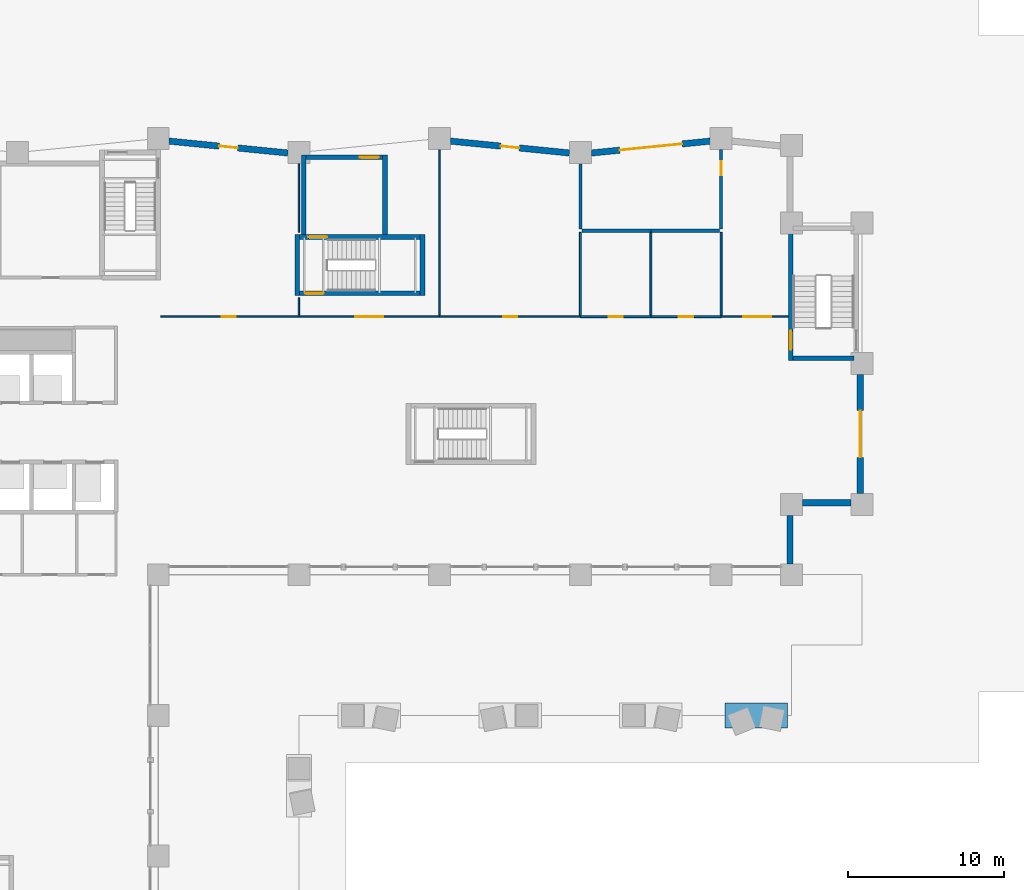
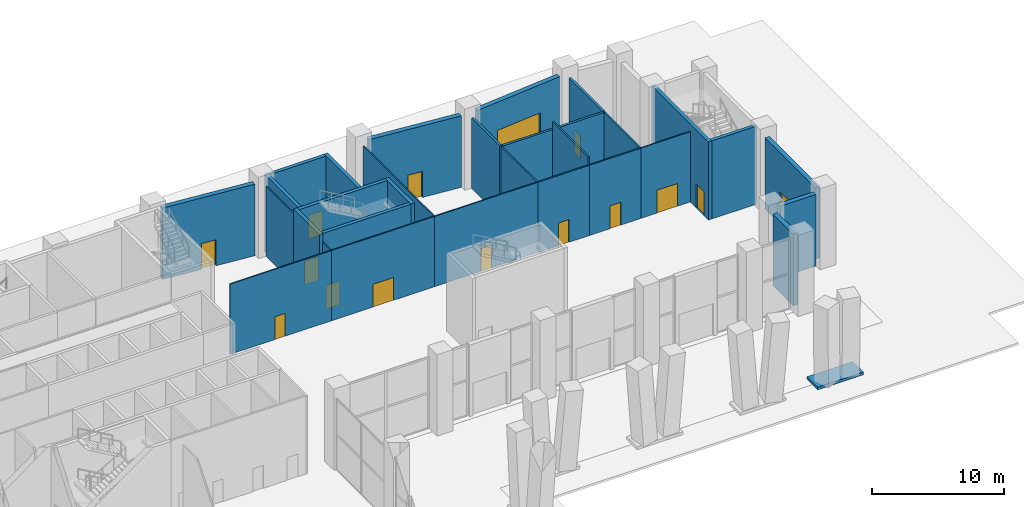
# One storey, part 10 of 16: 32 walls, 15 doors, 15 openings.
"""IFC4 building model written with IfcOpenShell, lengths in metres."""

from ifc_helpers import new_model, si_unit, direction, frame, frame_2d, origin, place, context, subcontext, project, spatial, rectangle, extrude, material, layer, layer_set, type_object, element, fill, save


model = new_model("IFC4")

# Units and contexts
model_context = context("Model", 3, precision=1e-05, world=origin(), true_north=direction((0.0, 1.0)))
body_context = subcontext(model_context, "Body", "Model", "MODEL_VIEW")
ifc_project = project(units=[si_unit("LENGTHUNIT", "METRE"), si_unit("AREAUNIT", "SQUARE_METRE"), si_unit("VOLUMEUNIT", "CUBIC_METRE"), si_unit("PLANEANGLEUNIT", "RADIAN"), si_unit("MASSUNIT", "GRAM", prefix="KILO")], contexts=[model_context])

# Site, building, storey
site_placement = place(None, origin())
site = spatial("IfcSite", under=ifc_project, at=site_placement, CompositionType="ELEMENT")
building_placement = place(site_placement, origin())
building = spatial("IfcBuilding", under=site, at=building_placement, Name="Brondeck Convention Tower", CompositionType="ELEMENT")
storey_placement = place(building_placement, origin())
storey = spatial("IfcBuildingStorey", under=building, at=storey_placement, Name="L00", CompositionType="ELEMENT", Elevation=0.0)

# Walls
ifc_material_1 = material(Name="Limestone", Category="masonry")
ifc_layer_1 = layer(ifc_material_1, 0.10009765625, Name="Limestone facing")
ifc_material_2 = material(Name="Mineral wool")
ifc_layer_2 = layer(ifc_material_2, 0.159912109375, Name="Insulation")
ifc_material_3 = material(Name="Concrete C35/45", Category="concrete")
ifc_layer_3 = layer(ifc_material_3, 0.139892578125, Name="Backing")
ifc_layer_set_1 = layer_set([ifc_layer_1, ifc_layer_2, ifc_layer_3], Name="External wall, limestone cladding")
wall_type_1 = type_object("IfcWallType", Name="External wall, limestone cladding", PredefinedType="SOLIDWALL", material=ifc_layer_set_1)
for number, where, z_axis, x_axis, name in (
    (1, (67.39990234375, 39.800048828125, 0.0), (0.0, 0.0, 1.0), (0.0, -1.0, 0.0), "ENV-EW-L00-BASE-NC-SEA-01"),
    (2, (71.300048828125, 40.60009765625, 0.0), (0.0, 0.0, 1.0), (-1.0, 0.0, 0.0), "ENV-EW-L00-BASE-NC-SEA-02"),
):
    element("IfcWall", number, at=place(storey_placement, frame(where, z_axis=z_axis, x_axis=x_axis)), inside=storey, type_object=wall_type_1, Name=name, PredefinedType="SOLIDWALL", context=body_context, shape_type="SweptSolid", body=[
        extrude(rectangle(XDim=3.10009765625, YDim=0.39990234375, at=frame_2d((1.550048828125, 0.0))), origin(), (0.0, 0.0, 1.0), 6.60009765625),
    ])

# Wall, opening, door
wall_1_placement = place(storey_placement, frame((71.89990234375, 48.800048828125, 0.0), z_axis=(0.0, 0.0, 1.0), x_axis=(0.0, -1.0, 0.0)))
wall_1 = element("IfcWall", 3, at=wall_1_placement, inside=storey, type_object=wall_type_1, Name="ENV-EW-L00-BASE-A-E-02", PredefinedType="SOLIDWALL", context=body_context, shape_type="SweptSolid", body=[
    extrude(rectangle(XDim=7.60009765625, YDim=0.39990234375, at=frame_2d((3.800048828125, 0.0))), origin(), (0.0, 0.0, 1.0), 6.60009765625),
])
opening_1_placement = place(wall_1_placement, frame((2.300048828125, 0.0, 0.0)))
opening_1 = element("IfcOpeningElement", 4, at=opening_1_placement, cuts=wall_1, Name="Opening DB-L00-ENT-E1", PredefinedType="OPENING", context=body_context, shape_type="SweptSolid", body=[
    extrude(rectangle(XDim=3.0, YDim=3.0, at=frame_2d((1.5, 1.5))), frame((0.0, 0.2099609375, 0.0), z_axis=(0.0, -1.0, 0.0), x_axis=(1.0, 0.0, 0.0)), (0.0, 0.0, 1.0), 0.419921875),
])
ifc_material_4 = material(Name="Aluminium, bronze anodised", Category="aluminium")
door_type_1 = type_object("IfcDoorType", Name="Entrance door set, double leaf", OperationType="DOUBLE_DOOR_SINGLE_SWING", PredefinedType="DOOR", material=ifc_material_4)
door_1_placement = place(opening_1_placement, origin())
door_1 = element("IfcDoor", 5, at=door_1_placement, inside=storey, type_object=door_type_1, Name="ENV-D-DB-L00-ENT-E1", OperationType="DOUBLE_DOOR_SINGLE_SWING", OverallHeight=3.0, OverallWidth=3.0, PredefinedType="DOOR", context=body_context, shape_type="SweptSolid", body=[
    extrude(rectangle(XDim=3.0, YDim=3.0, at=frame_2d((1.5, 1.5))), frame((0.0, 0.02490234375, 0.0), z_axis=(0.0, -1.0, 0.0), x_axis=(1.0, 0.0, 0.0)), (0.0, 0.0, 1.0), 0.050048828125),
])
fill(opening_1, door_1)

wall_2_placement = place(storey_placement, frame((54.70654296875, 62.97021484375, 0.0), z_axis=(0.0, 0.0, 1.0), x_axis=(0.995039719416, 0.099478423711, 0.0)))
wall_2 = element("IfcWall", 6, at=wall_2_placement, inside=storey, type_object=wall_type_1, Name="ENV-EW-L00-BASE-A-N-13", PredefinedType="SOLIDWALL", context=body_context, shape_type="SweptSolid", body=[
    extrude(rectangle(XDim=7.644775390625, YDim=0.39990234375, at=frame_2d((3.822265625, 0.0))), origin(), (0.0, 0.0, 1.0), 6.60009765625),
])
opening_2_placement = place(wall_2_placement, frame((1.822509765625, 0.0, 0.0)))
opening_2 = element("IfcOpeningElement", 7, at=opening_2_placement, cuts=wall_2, Name="Opening DB-L00-XD-DOCK", PredefinedType="OPENING", context=body_context, shape_type="SweptSolid", body=[
    extrude(rectangle(XDim=4.0, YDim=4.0, at=frame_2d((2.0, 2.0))), frame((0.0, 0.2099609375, 0.0), z_axis=(0.0, -1.0, 0.0), x_axis=(1.0, 0.0, 0.0)), (0.0, 0.0, 1.0), 0.419921875),
])
ifc_material_5 = material(Name="Steel, insulated roller shutter", Category="steel")
door_type_2 = type_object("IfcDoorType", Name="Loading dock door, roller shutter", OperationType="ROLLINGUP", PredefinedType="DOOR", material=ifc_material_5)
door_2_placement = place(opening_2_placement, origin())
door_2 = element("IfcDoor", 8, at=door_2_placement, inside=storey, type_object=door_type_2, Name="ENV-D-DB-L00-XD-DOCK", OperationType="ROLLINGUP", OverallHeight=4.0, OverallWidth=4.0, PredefinedType="DOOR", context=body_context, shape_type="SweptSolid", body=[
    extrude(rectangle(XDim=4.0, YDim=4.0, at=frame_2d((2.0, 2.0))), frame((0.0, 0.02490234375, 0.0), z_axis=(0.0, -1.0, 0.0), x_axis=(1.0, 0.0, 0.0)), (0.0, 0.0, 1.0), 0.050048828125),
])
fill(opening_2, door_2)

wall_3_placement = place(storey_placement, frame((45.6865234375, 63.730712890625, 0.0), z_axis=(0.0, 0.0, 1.0), x_axis=(0.995039719416, -0.099478423711, 0.0)))
wall_3 = element("IfcWall", 9, at=wall_3_placement, inside=storey, type_object=wall_type_1, Name="ENV-EW-L00-BASE-A-N-11", PredefinedType="SOLIDWALL", context=body_context, shape_type="SweptSolid", body=[
    extrude(rectangle(XDim=7.644775390625, YDim=0.39990234375, at=frame_2d((3.822265625, 0.0))), origin(), (0.0, 0.0, 1.0), 6.60009765625),
])
opening_3_placement = place(wall_3_placement, frame((3.222412109375, 0.0, 0.0)))
opening_3 = element("IfcOpeningElement", 10, at=opening_3_placement, cuts=wall_3, Name="Opening DB-L00-SVC-A-N-2", PredefinedType="OPENING", context=body_context, shape_type="SweptSolid", body=[
    extrude(rectangle(XDim=1.199951171875, YDim=2.39990234375, at=frame_2d((0.60009765625, 1.199951171875))), frame((0.0, 0.2099609375, 0.0), z_axis=(0.0, -1.0, 0.0), x_axis=(1.0, 0.0, 0.0)), (0.0, 0.0, 1.0), 0.419921875),
])
ifc_material_6 = material(Name="Steel, fire-rated door leaf", Category="steel")
door_type_3 = type_object("IfcDoorType", Name="Service door, single leaf", OperationType="SINGLE_SWING_LEFT", PredefinedType="DOOR", material=ifc_material_6)
door_3_placement = place(opening_3_placement, origin())
door_3 = element("IfcDoor", 11, at=door_3_placement, inside=storey, type_object=door_type_3, Name="ENV-D-DB-L00-SVC-A-N-2", OperationType="SINGLE_SWING_RIGHT", OverallHeight=2.39990234375, OverallWidth=1.199951171875, PredefinedType="DOOR", context=body_context, shape_type="SweptSolid", body=[
    extrude(rectangle(XDim=1.199951171875, YDim=2.39990234375, at=frame_2d((0.60009765625, 1.199951171875))), frame((0.0, 0.02490234375, 0.0), z_axis=(0.0, -1.0, 0.0), x_axis=(1.0, 0.0, 0.0)), (0.0, 0.0, 1.0), 0.050048828125),
])
fill(opening_3, door_3)

wall_4_placement = place(storey_placement, frame((27.6865234375, 63.730712890625, 0.0), z_axis=(0.0, 0.0, 1.0), x_axis=(0.995039719416, -0.099478423711, 0.0)))
wall_4 = element("IfcWall", 12, at=wall_4_placement, inside=storey, type_object=wall_type_1, Name="ENV-EW-L00-BASE-A-N-07", PredefinedType="SOLIDWALL", context=body_context, shape_type="SweptSolid", body=[
    extrude(rectangle(XDim=7.644775390625, YDim=0.39990234375, at=frame_2d((3.822265625, 0.0))), origin(), (0.0, 0.0, 1.0), 6.60009765625),
])
opening_4_placement = place(wall_4_placement, frame((3.222412109375, 0.0, 0.0)))
opening_4 = element("IfcOpeningElement", 13, at=opening_4_placement, cuts=wall_4, Name="Opening DB-L00-SVC-A-N-1", PredefinedType="OPENING", context=body_context, shape_type="SweptSolid", body=[
    extrude(rectangle(XDim=1.199951171875, YDim=2.39990234375, at=frame_2d((0.60009765625, 1.199951171875))), frame((0.0, 0.2099609375, 0.0), z_axis=(0.0, -1.0, 0.0), x_axis=(1.0, 0.0, 0.0)), (0.0, 0.0, 1.0), 0.419921875),
])
door_4_placement = place(opening_4_placement, origin())
door_4 = element("IfcDoor", 14, at=door_4_placement, inside=storey, type_object=door_type_3, Name="ENV-D-DB-L00-SVC-A-N-1", OperationType="SINGLE_SWING_RIGHT", OverallHeight=2.39990234375, OverallWidth=1.199951171875, PredefinedType="DOOR", context=body_context, shape_type="SweptSolid", body=[
    extrude(rectangle(XDim=1.199951171875, YDim=2.39990234375, at=frame_2d((0.60009765625, 1.199951171875))), frame((0.0, 0.02490234375, 0.0), z_axis=(0.0, -1.0, 0.0), x_axis=(1.0, 0.0, 0.0)), (0.0, 0.0, 1.0), 0.050048828125),
])
fill(opening_4, door_4)

# Walls
ifc_material_7 = material(Name="Concrete block wall C16/20", Category="concrete")
ifc_layer_4 = layer(ifc_material_7, 0.199951171875)
ifc_layer_set_2 = layer_set([ifc_layer_4], Name="Plant room wall 200")
wall_type_2 = type_object("IfcWallType", Name="Plant room wall 200", PredefinedType="PARTITIONING", material=ifc_layer_set_2)
for number, where, z_axis, x_axis, name in (
    (15, (54.10009765625, 58.0, 0.0), (0.0, 0.0, 1.0), (1.0, 0.0, 0.0), "FLR-L00-W019"),
    (16, (58.5, 58.0, 0.0), (0.0, 0.0, 1.0), (1.0, 0.0, 0.0), "FLR-L00-W020"),
):
    element("IfcWall", number, at=place(storey_placement, frame(where, z_axis=z_axis, x_axis=x_axis)), inside=storey, type_object=wall_type_2, Name=name, PredefinedType="PARTITIONING", context=body_context, shape_type="SweptSolid", body=[
        extrude(rectangle(XDim=4.39990234375, YDim=0.199951171875, at=frame_2d((2.199951171875, 0.0))), origin(), (0.0, 0.0, 1.0), 6.47998046875),
    ])
wall_5_placement = place(storey_placement, frame((54.0, 62.280029296875, 0.0), z_axis=(0.0, 0.0, 1.0), x_axis=(0.0, -1.0, 0.0)))
element("IfcWall", 17, at=wall_5_placement, inside=storey, type_object=wall_type_2, Name="FLR-L00-W022", PredefinedType="PARTITIONING", context=body_context, shape_type="SweptSolid", body=[
    extrude(rectangle(XDim=4.179931640625, YDim=0.199951171875, at=frame_2d((2.08984375, 0.0))), origin(), (0.0, 0.0, 1.0), 6.47998046875),
])

# Wall, opening, door
wall_6_placement = place(storey_placement, frame((63.0, 58.10009765625, 0.0), z_axis=(0.0, 0.0, 1.0), x_axis=(0.0, 1.0, 0.0)))
wall_6 = element("IfcWall", 18, at=wall_6_placement, inside=storey, type_object=wall_type_2, Name="FLR-L00-W024", PredefinedType="PARTITIONING", context=body_context, shape_type="SweptSolid", body=[
    extrude(rectangle(XDim=5.079833984375, YDim=0.199951171875, at=frame_2d((2.5400390625, 0.0))), origin(), (0.0, 0.0, 1.0), 6.47998046875),
])
opening_5_placement = place(wall_6_placement, frame((3.449951171875, 0.0, 0.0)))
opening_5 = element("IfcOpeningElement", 19, at=opening_5_placement, cuts=wall_6, Name="Opening P-L00-007", PredefinedType="OPENING", context=body_context, shape_type="SweptSolid", body=[
    extrude(rectangle(XDim=0.89990234375, YDim=2.10009765625, at=frame_2d((0.449951171875, 1.050048828125))), frame((0.0, 0.10986328125, 0.0), z_axis=(0.0, -1.0, 0.0), x_axis=(1.0, 0.0, 0.0)), (0.0, 0.0, 1.0), 0.219970703125),
])
ifc_material_8 = material(Name="Solid timber door leaf", Category="wood")
door_type_4 = type_object("IfcDoorType", Name="Single door 900", OperationType="NOTDEFINED", PredefinedType="DOOR", material=ifc_material_8)
door_5_placement = place(opening_5_placement, origin())
door_5 = element("IfcDoor", 20, at=door_5_placement, inside=storey, type_object=door_type_4, Name="Door P-L00-007", OperationType="SINGLE_SWING_LEFT", OverallHeight=2.10009765625, OverallWidth=0.89990234375, PredefinedType="DOOR", context=body_context, shape_type="SweptSolid", body=[
    extrude(rectangle(XDim=0.89990234375, YDim=2.10009765625, at=frame_2d((0.449951171875, 1.050048828125))), frame((0.0, 0.02490234375, 0.0), z_axis=(0.0, -1.0, 0.0), x_axis=(1.0, 0.0, 0.0)), (0.0, 0.0, 1.0), 0.050048828125),
])
fill(opening_5, door_5)

ifc_material_9 = material(Name="Gypsum board shaft wall on steel studs", Category="steel")
ifc_layer_5 = layer(ifc_material_9, 0.125)
ifc_layer_set_3 = layer_set([ifc_layer_5], Name="Riser wall 125")
wall_type_3 = type_object("IfcWallType", Name="Riser wall 125", PredefinedType="PARTITIONING", material=ifc_layer_set_3)
wall_7_placement = place(storey_placement, frame((54.0, 52.5, 0.0), z_axis=(0.0, 0.0, 1.0), x_axis=(1.0, 0.0, 0.0)))
wall_7 = element("IfcWall", 21, at=wall_7_placement, inside=storey, type_object=wall_type_3, Name="FLR-L00-W012", PredefinedType="PARTITIONING", context=body_context, shape_type="SweptSolid", body=[
    extrude(rectangle(XDim=4.5, YDim=0.125, at=frame_2d((2.25, 0.0))), origin(), (0.0, 0.0, 1.0), 6.47998046875),
])
opening_6_placement = place(wall_7_placement, frame((1.800048828125, 0.0, 0.0)))
opening_6 = element("IfcOpeningElement", 22, at=opening_6_placement, cuts=wall_7, Name="Opening P-L00-003", PredefinedType="OPENING", context=body_context, shape_type="SweptSolid", body=[
    extrude(rectangle(XDim=0.89990234375, YDim=2.10009765625, at=frame_2d((0.449951171875, 1.050048828125))), frame((0.0, 0.072509765625, 0.0), z_axis=(0.0, -1.0, 0.0), x_axis=(1.0, 0.0, 0.0)), (0.0, 0.0, 1.0), 0.14501953125),
])
door_6_placement = place(opening_6_placement, origin())
door_6 = element("IfcDoor", 23, at=door_6_placement, inside=storey, type_object=door_type_4, Name="Door P-L00-003", OperationType="SINGLE_SWING_LEFT", OverallHeight=2.10009765625, OverallWidth=0.89990234375, PredefinedType="DOOR", context=body_context, shape_type="SweptSolid", body=[
    extrude(rectangle(XDim=0.89990234375, YDim=2.10009765625, at=frame_2d((0.449951171875, 1.050048828125))), frame((0.0, 0.02490234375, 0.0), z_axis=(0.0, -1.0, 0.0), x_axis=(1.0, 0.0, 0.0)), (0.0, 0.0, 1.0), 0.050048828125),
])
fill(opening_6, door_6)

wall_8_placement = place(storey_placement, frame((58.5, 52.5, 0.0), z_axis=(0.0, 0.0, 1.0), x_axis=(1.0, 0.0, 0.0)))
wall_8 = element("IfcWall", 24, at=wall_8_placement, inside=storey, type_object=wall_type_3, Name="FLR-L00-W013", PredefinedType="PARTITIONING", context=body_context, shape_type="SweptSolid", body=[
    extrude(rectangle(XDim=4.5, YDim=0.125, at=frame_2d((2.25, 0.0))), origin(), (0.0, 0.0, 1.0), 6.47998046875),
])
opening_7_placement = place(wall_8_placement, frame((1.77490234375, 0.0, 0.0)))
opening_7 = element("IfcOpeningElement", 25, at=opening_7_placement, cuts=wall_8, Name="Opening P-L00-004", PredefinedType="OPENING", context=body_context, shape_type="SweptSolid", body=[
    extrude(rectangle(XDim=0.949951171875, YDim=2.10009765625, at=frame_2d((0.47509765625, 1.050048828125))), frame((0.0, 0.072509765625, 0.0), z_axis=(0.0, -1.0, 0.0), x_axis=(1.0, 0.0, 0.0)), (0.0, 0.0, 1.0), 0.14501953125),
])
door_type_5 = type_object("IfcDoorType", Name="Accessible door 950", OperationType="NOTDEFINED", PredefinedType="DOOR", material=ifc_material_8)
door_7_placement = place(opening_7_placement, origin())
door_7 = element("IfcDoor", 26, at=door_7_placement, inside=storey, type_object=door_type_5, Name="Door P-L00-004", OperationType="SINGLE_SWING_LEFT", OverallHeight=2.10009765625, OverallWidth=0.949951171875, PredefinedType="DOOR", context=body_context, shape_type="SweptSolid", body=[
    extrude(rectangle(XDim=0.949951171875, YDim=2.10009765625, at=frame_2d((0.47509765625, 1.050048828125))), frame((0.0, 0.02490234375, 0.0), z_axis=(0.0, -1.0, 0.0), x_axis=(1.0, 0.0, 0.0)), (0.0, 0.0, 1.0), 0.050048828125),
])
fill(opening_7, door_7)

# Walls
wall_9_placement = place(storey_placement, frame((54.0, 57.89990234375, 0.0), z_axis=(0.0, 0.0, 1.0), x_axis=(0.0, -1.0, 0.0)))
element("IfcWall", 27, at=wall_9_placement, inside=storey, type_object=wall_type_3, Name="FLR-L00-W016", PredefinedType="PARTITIONING", context=body_context, shape_type="SweptSolid", body=[
    extrude(rectangle(XDim=5.33740234375, YDim=0.125, at=frame_2d((2.668701171875, 0.0))), origin(), (0.0, 0.0, 1.0), 6.47998046875),
])
wall_10_placement = place(storey_placement, frame((58.5, 57.89990234375, 0.0), z_axis=(0.0, 0.0, 1.0), x_axis=(0.0, -1.0, 0.0)))
element("IfcWall", 28, at=wall_10_placement, inside=storey, type_object=wall_type_3, Name="FLR-L00-W017", PredefinedType="PARTITIONING", context=body_context, shape_type="SweptSolid", body=[
    extrude(rectangle(XDim=5.33740234375, YDim=0.125, at=frame_2d((2.668701171875, 0.0))), origin(), (0.0, 0.0, 1.0), 7.179931640625),
])
wall_11_placement = place(storey_placement, frame((63.0, 57.89990234375, 0.0), z_axis=(0.0, 0.0, 1.0), x_axis=(0.0, -1.0, 0.0)))
element("IfcWall", 29, at=wall_11_placement, inside=storey, type_object=wall_type_3, Name="FLR-L00-W018", PredefinedType="PARTITIONING", context=body_context, shape_type="SweptSolid", body=[
    extrude(rectangle(XDim=5.33740234375, YDim=0.125, at=frame_2d((2.668701171875, 0.0))), origin(), (0.0, 0.0, 1.0), 6.47998046875),
])

# Wall, opening, door
ifc_material_10 = material(Name="Gypsum board partition on steel studs", Category="steel")
ifc_layer_6 = layer(ifc_material_10, 0.10009765625)
ifc_layer_set_4 = layer_set([ifc_layer_6], Name="Room partition 100")
wall_type_4 = type_object("IfcWallType", Name="Room partition 100", PredefinedType="PARTITIONING", material=ifc_layer_set_4)
wall_12_placement = place(storey_placement, frame((27.14990234375, 52.5, 0.0), z_axis=(0.0, 0.0, 1.0), x_axis=(1.0, 0.0, 0.0)))
wall_12 = element("IfcWall", 30, at=wall_12_placement, inside=storey, type_object=wall_type_4, Name="FLR-L00-W009", PredefinedType="PARTITIONING", context=body_context, shape_type="SweptSolid", body=[
    extrude(rectangle(XDim=8.85009765625, YDim=0.10009765625, at=frame_2d((4.425048828125, 0.0))), origin(), (0.0, 0.0, 1.0), 6.47998046875),
])
opening_8_placement = place(wall_12_placement, frame((3.89990234375, 0.0, 0.0)))
opening_8 = element("IfcOpeningElement", 31, at=opening_8_placement, cuts=wall_12, Name="Opening P-L00-001", PredefinedType="OPENING", context=body_context, shape_type="SweptSolid", body=[
    extrude(rectangle(XDim=0.89990234375, YDim=2.10009765625, at=frame_2d((0.449951171875, 1.050048828125))), frame((0.0, 0.06005859375, 0.0), z_axis=(0.0, -1.0, 0.0), x_axis=(1.0, 0.0, 0.0)), (0.0, 0.0, 1.0), 0.1201171875),
])
door_8_placement = place(opening_8_placement, origin())
door_8 = element("IfcDoor", 32, at=door_8_placement, inside=storey, type_object=door_type_4, Name="Door P-L00-001", OperationType="SINGLE_SWING_RIGHT", OverallHeight=2.10009765625, OverallWidth=0.89990234375, PredefinedType="DOOR", context=body_context, shape_type="SweptSolid", body=[
    extrude(rectangle(XDim=0.89990234375, YDim=2.10009765625, at=frame_2d((0.449951171875, 1.050048828125))), frame((0.0, 0.02490234375, 0.0), z_axis=(0.0, -1.0, 0.0), x_axis=(1.0, 0.0, 0.0)), (0.0, 0.0, 1.0), 0.050048828125),
])
fill(opening_8, door_8)

wall_13_placement = place(storey_placement, frame((36.0, 52.5, 0.0), z_axis=(0.0, 0.0, 1.0), x_axis=(1.0, 0.0, 0.0)))
wall_13 = element("IfcWall", 33, at=wall_13_placement, inside=storey, type_object=wall_type_4, Name="FLR-L00-W010", PredefinedType="PARTITIONING", context=body_context, shape_type="SweptSolid", body=[
    extrude(rectangle(XDim=9.0, YDim=0.10009765625, at=frame_2d((4.5, 0.0))), origin(), (0.0, 0.0, 1.0), 6.47998046875),
])
opening_9_placement = place(wall_13_placement, frame((3.60009765625, 0.0, 0.0)))
opening_9 = element("IfcOpeningElement", 34, at=opening_9_placement, cuts=wall_13, Name="Opening P-L00-005", PredefinedType="OPENING", context=body_context, shape_type="SweptSolid", body=[
    extrude(rectangle(XDim=1.800048828125, YDim=2.10009765625, at=frame_2d((0.89990234375, 1.050048828125))), frame((0.0, 0.06005859375, 0.0), z_axis=(0.0, -1.0, 0.0), x_axis=(1.0, 0.0, 0.0)), (0.0, 0.0, 1.0), 0.1201171875),
])
ifc_material_11 = material(Name="Glazed timber double door", Category="wood")
door_type_6 = type_object("IfcDoorType", Name="Double door 1800", OperationType="DOUBLE_DOOR_SINGLE_SWING", PredefinedType="DOOR", material=ifc_material_11)
door_9_placement = place(opening_9_placement, origin())
door_9 = element("IfcDoor", 35, at=door_9_placement, inside=storey, type_object=door_type_6, Name="Door P-L00-005", OperationType="DOUBLE_DOOR_SINGLE_SWING", OverallHeight=2.10009765625, OverallWidth=1.800048828125, PredefinedType="DOOR", context=body_context, shape_type="SweptSolid", body=[
    extrude(rectangle(XDim=1.800048828125, YDim=2.10009765625, at=frame_2d((0.89990234375, 1.050048828125))), frame((0.0, 0.02490234375, 0.0), z_axis=(0.0, -1.0, 0.0), x_axis=(1.0, 0.0, 0.0)), (0.0, 0.0, 1.0), 0.050048828125),
])
fill(opening_9, door_9)

wall_14_placement = place(storey_placement, frame((45.0, 52.5, 0.0), z_axis=(0.0, 0.0, 1.0), x_axis=(1.0, 0.0, 0.0)))
wall_14 = element("IfcWall", 36, at=wall_14_placement, inside=storey, type_object=wall_type_4, Name="FLR-L00-W011", PredefinedType="PARTITIONING", context=body_context, shape_type="SweptSolid", body=[
    extrude(rectangle(XDim=9.0, YDim=0.10009765625, at=frame_2d((4.5, 0.0))), origin(), (0.0, 0.0, 1.0), 6.47998046875),
])
opening_10_placement = place(wall_14_placement, frame((4.050048828125, 0.0, 0.0)))
opening_10 = element("IfcOpeningElement", 37, at=opening_10_placement, cuts=wall_14, Name="Opening P-L00-002", PredefinedType="OPENING", context=body_context, shape_type="SweptSolid", body=[
    extrude(rectangle(XDim=0.89990234375, YDim=2.10009765625, at=frame_2d((0.449951171875, 1.050048828125))), frame((0.0, 0.06005859375, 0.0), z_axis=(0.0, -1.0, 0.0), x_axis=(1.0, 0.0, 0.0)), (0.0, 0.0, 1.0), 0.1201171875),
])
door_10_placement = place(opening_10_placement, origin())
door_10 = element("IfcDoor", 38, at=door_10_placement, inside=storey, type_object=door_type_4, Name="Door P-L00-002", OperationType="SINGLE_SWING_RIGHT", OverallHeight=2.10009765625, OverallWidth=0.89990234375, PredefinedType="DOOR", context=body_context, shape_type="SweptSolid", body=[
    extrude(rectangle(XDim=0.89990234375, YDim=2.10009765625, at=frame_2d((0.449951171875, 1.050048828125))), frame((0.0, 0.02490234375, 0.0), z_axis=(0.0, -1.0, 0.0), x_axis=(1.0, 0.0, 0.0)), (0.0, 0.0, 1.0), 0.050048828125),
])
fill(opening_10, door_10)

wall_15_placement = place(storey_placement, frame((63.0, 52.5, 0.0), z_axis=(0.0, 0.0, 1.0), x_axis=(1.0, 0.0, 0.0)))
wall_15 = element("IfcWall", 39, at=wall_15_placement, inside=storey, type_object=wall_type_4, Name="FLR-L00-W014", PredefinedType="PARTITIONING", context=body_context, shape_type="SweptSolid", body=[
    extrude(rectangle(XDim=4.300048828125, YDim=0.10009765625, at=frame_2d((2.14990234375, 0.0))), origin(), (0.0, 0.0, 1.0), 6.47998046875),
])
opening_11_placement = place(wall_15_placement, frame((1.39990234375, 0.0, 0.0)))
opening_11 = element("IfcOpeningElement", 40, at=opening_11_placement, cuts=wall_15, Name="Opening P-L00-006", PredefinedType="OPENING", context=body_context, shape_type="SweptSolid", body=[
    extrude(rectangle(XDim=1.800048828125, YDim=2.10009765625, at=frame_2d((0.89990234375, 1.050048828125))), frame((0.0, 0.06005859375, 0.0), z_axis=(0.0, -1.0, 0.0), x_axis=(1.0, 0.0, 0.0)), (0.0, 0.0, 1.0), 0.1201171875),
])
door_11_placement = place(opening_11_placement, origin())
door_11 = element("IfcDoor", 41, at=door_11_placement, inside=storey, type_object=door_type_6, Name="Door P-L00-006", OperationType="DOUBLE_DOOR_SINGLE_SWING", OverallHeight=2.10009765625, OverallWidth=1.800048828125, PredefinedType="DOOR", context=body_context, shape_type="SweptSolid", body=[
    extrude(rectangle(XDim=1.800048828125, YDim=2.10009765625, at=frame_2d((0.89990234375, 1.050048828125))), frame((0.0, 0.02490234375, 0.0), z_axis=(0.0, -1.0, 0.0), x_axis=(1.0, 0.0, 0.0)), (0.0, 0.0, 1.0), 0.050048828125),
])
fill(opening_11, door_11)

# Walls
wall_16_placement = place(storey_placement, frame((36.0, 53.699951171875, 0.0), z_axis=(0.0, 0.0, 1.0), x_axis=(0.0, -1.0, 0.0)))
element("IfcWall", 42, at=wall_16_placement, inside=storey, type_object=wall_type_4, Name="FLR-L00-W015", PredefinedType="PARTITIONING", context=body_context, shape_type="SweptSolid", body=[
    extrude(rectangle(XDim=1.14990234375, YDim=0.10009765625, at=frame_2d((0.574951171875, 0.0))), origin(), (0.0, 0.0, 1.0), 6.47998046875),
])
wall_17_placement = place(storey_placement, frame((36.0, 62.280029296875, 0.0), z_axis=(0.0, 0.0, 1.0), x_axis=(0.0, -1.0, 0.0)))
element("IfcWall", 43, at=wall_17_placement, inside=storey, type_object=wall_type_4, Name="FLR-L00-W021", PredefinedType="PARTITIONING", context=body_context, shape_type="SweptSolid", body=[
    extrude(rectangle(XDim=4.380126953125, YDim=0.10009765625, at=frame_2d((2.18994140625, 0.0))), origin(), (0.0, 0.0, 1.0), 6.47998046875),
])
wall_18_placement = place(storey_placement, frame((45.0, 63.179931640625, 0.0), z_axis=(0.0, 0.0, 1.0), x_axis=(0.0, -1.0, 0.0)))
element("IfcWall", 44, at=wall_18_placement, inside=storey, type_object=wall_type_4, Name="FLR-L00-W023", PredefinedType="PARTITIONING", context=body_context, shape_type="SweptSolid", body=[
    extrude(rectangle(XDim=10.6298828125, YDim=0.10009765625, at=frame_2d((5.31494140625, 0.0))), origin(), (0.0, 0.0, 1.0), 6.47998046875),
])
ifc_material_12 = material(Name="Concrete C80/95", Category="concrete")
ifc_layer_7 = layer(ifc_material_12, 0.300048828125)
ifc_layer_set_5 = layer_set([ifc_layer_7], Name="Stair enclosure wall 300 Concrete C80/95")
wall_type_5 = type_object("IfcWallType", Name="Stair enclosure wall 300 Concrete C80/95", PredefinedType="SHEAR", material=ifc_layer_set_5)
wall_19_placement = place(storey_placement, frame((67.60009765625, 49.85009765625, 0.0), z_axis=(0.0, 0.0, 1.0), x_axis=(1.0, 0.0, 0.0)))
element("IfcWall", 45, at=wall_19_placement, inside=storey, type_object=wall_type_5, Name="L00 core wall", PredefinedType="SHEAR", context=body_context, shape_type="SweptSolid", body=[
    extrude(rectangle(XDim=3.89990234375, YDim=0.300048828125, at=frame_2d((1.949951171875, 0.0))), origin(), (0.0, 0.0, 1.0), 7.199951171875),
])

# Wall, opening, door
wall_20_placement = place(storey_placement, frame((36.050048828125, 54.0, 0.0), z_axis=(0.0, 0.0, 1.0), x_axis=(1.0, 0.0, 0.0)))
wall_20 = element("IfcWall", 46, at=wall_20_placement, inside=storey, type_object=wall_type_5, Name="L00 core wall", PredefinedType="SHEAR", context=body_context, shape_type="SweptSolid", body=[
    extrude(rectangle(XDim=7.699951171875, YDim=0.300048828125, at=frame_2d((3.85009765625, 0.0))), origin(), (0.0, 0.0, 1.0), 7.199951171875),
])
opening_12_placement = place(wall_20_placement, frame((0.35009765625, 0.0, 0.0)))
opening_12 = element("IfcOpeningElement", 47, at=opening_12_placement, cuts=wall_20, Name="Opening C02-18", PredefinedType="OPENING", context=body_context, shape_type="SweptSolid", body=[
    extrude(rectangle(XDim=1.199951171875, YDim=2.199951171875, at=frame_2d((0.60009765625, 1.10009765625))), frame((0.0, 0.159912109375, 0.0), z_axis=(0.0, -1.0, 0.0), x_axis=(1.0, 0.0, 0.0)), (0.0, 0.0, 1.0), 0.320068359375),
])
ifc_material_13 = material(Name="Steel fire door", Category="steel")
door_type_7 = type_object("IfcDoorType", Name="Stair door 1200x2200 EI 90", OperationType="NOTDEFINED", PredefinedType="DOOR", material=ifc_material_13)
door_12_placement = place(opening_12_placement, origin())
door_12 = element("IfcDoor", 48, at=door_12_placement, inside=storey, type_object=door_type_7, Name="L00 Stair door ST-AE", OperationType="SINGLE_SWING_LEFT", OverallHeight=2.199951171875, OverallWidth=1.199951171875, PredefinedType="DOOR", context=body_context, shape_type="SweptSolid", body=[
    extrude(rectangle(XDim=1.199951171875, YDim=2.199951171875, at=frame_2d((0.60009765625, 1.10009765625))), frame((0.0, 0.02490234375, 0.0), z_axis=(0.0, -1.0, 0.0), x_axis=(1.0, 0.0, 0.0)), (0.0, 0.0, 1.0), 0.050048828125),
])
fill(opening_12, door_12)

wall_21_placement = place(storey_placement, frame((36.050048828125, 57.60009765625, 0.0), z_axis=(0.0, 0.0, 1.0), x_axis=(1.0, 0.0, 0.0)))
wall_21 = element("IfcWall", 49, at=wall_21_placement, inside=storey, type_object=wall_type_5, Name="L00 core wall", PredefinedType="SHEAR", context=body_context, shape_type="SweptSolid", body=[
    extrude(rectangle(XDim=7.699951171875, YDim=0.300048828125, at=frame_2d((3.85009765625, 0.0))), origin(), (0.0, 0.0, 1.0), 7.199951171875),
])
opening_13_placement = place(wall_21_placement, frame((0.550048828125, 0.0, 0.0)))
opening_13 = element("IfcOpeningElement", 50, at=opening_13_placement, cuts=wall_21, Name="Opening C02-27", PredefinedType="OPENING", context=body_context, shape_type="SweptSolid", body=[
    extrude(rectangle(XDim=1.199951171875, YDim=2.199951171875, at=frame_2d((0.60009765625, 1.10009765625))), frame((0.0, 0.159912109375, 0.0), z_axis=(0.0, -1.0, 0.0), x_axis=(1.0, 0.0, 0.0)), (0.0, 0.0, 1.0), 0.320068359375),
])
door_type_8 = type_object("IfcDoorType", Name="Exit door 1200x2200 EI 90", OperationType="NOTDEFINED", PredefinedType="DOOR", material=ifc_material_13)
door_13_placement = place(opening_13_placement, origin())
door_13 = element("IfcDoor", 51, at=door_13_placement, inside=storey, type_object=door_type_8, Name="L00 Exit door ST-AE", OperationType="SINGLE_SWING_RIGHT", OverallHeight=2.199951171875, OverallWidth=1.199951171875, PredefinedType="DOOR", context=body_context, shape_type="SweptSolid", body=[
    extrude(rectangle(XDim=1.199951171875, YDim=2.199951171875, at=frame_2d((0.60009765625, 1.10009765625))), frame((0.0, 0.02490234375, 0.0), z_axis=(0.0, -1.0, 0.0), x_axis=(1.0, 0.0, 0.0)), (0.0, 0.0, 1.0), 0.050048828125),
])
fill(opening_13, door_13)

wall_22_placement = place(storey_placement, frame((36.449951171875, 62.699951171875, 0.0), z_axis=(0.0, 0.0, 1.0), x_axis=(1.0, 0.0, 0.0)))
wall_22 = element("IfcWall", 52, at=wall_22_placement, inside=storey, type_object=wall_type_5, Name="L00 core wall", PredefinedType="SHEAR", context=body_context, shape_type="SweptSolid", body=[
    extrude(rectangle(XDim=4.900146484375, YDim=0.300048828125, at=frame_2d((2.4501953125, 0.0))), origin(), (0.0, 0.0, 1.0), 7.199951171875),
])
opening_14_placement = place(wall_22_placement, frame((3.449951171875, 0.0, 0.0)))
opening_14 = element("IfcOpeningElement", 53, at=opening_14_placement, cuts=wall_22, Name="Opening C02-31", PredefinedType="OPENING", context=body_context, shape_type="SweptSolid", body=[
    extrude(rectangle(XDim=1.199951171875, YDim=2.199951171875, at=frame_2d((0.60009765625, 1.10009765625))), frame((0.0, 0.159912109375, 0.0), z_axis=(0.0, -1.0, 0.0), x_axis=(1.0, 0.0, 0.0)), (0.0, 0.0, 1.0), 0.320068359375),
])
door_type_9 = type_object("IfcDoorType", Name="Exit door external 1200x2200 EI 90", OperationType="NOTDEFINED", PredefinedType="DOOR", material=ifc_material_13)
door_14_placement = place(opening_14_placement, origin())
door_14 = element("IfcDoor", 54, at=door_14_placement, inside=storey, type_object=door_type_9, Name="L00 Exit door external XP-ST-AE", OperationType="SINGLE_SWING_LEFT", OverallHeight=2.199951171875, OverallWidth=1.199951171875, PredefinedType="DOOR", context=body_context, shape_type="SweptSolid", body=[
    extrude(rectangle(XDim=1.199951171875, YDim=2.199951171875, at=frame_2d((0.60009765625, 1.10009765625))), frame((0.0, 0.02490234375, 0.0), z_axis=(0.0, -1.0, 0.0), x_axis=(1.0, 0.0, 0.0)), (0.0, 0.0, 1.0), 0.050048828125),
])
fill(opening_14, door_14)

# Walls
wall_23_placement = place(storey_placement, frame((35.89990234375, 53.85009765625, 0.0), z_axis=(0.0, 0.0, 1.0), x_axis=(0.0, 1.0, 0.0)))
element("IfcWall", 55, at=wall_23_placement, inside=storey, type_object=wall_type_5, Name="L00 core wall", PredefinedType="SHEAR", context=body_context, shape_type="SweptSolid", body=[
    extrude(rectangle(XDim=3.89990234375, YDim=0.300048828125, at=frame_2d((1.949951171875, 0.0))), origin(), (0.0, 0.0, 1.0), 7.199951171875),
])
for number, where, z_axis, x_axis, name in (
    (56, (36.300048828125, 57.75, 0.0), (0.0, 0.0, 1.0), (0.0, 1.0, 0.0), "L00 core wall"),
    (57, (41.5, 57.75, 0.0), (0.0, 0.0, 1.0), (0.0, 1.0, 0.0), "L00 core wall"),
):
    element("IfcWall", number, at=place(storey_placement, frame(where, z_axis=z_axis, x_axis=x_axis)), inside=storey, type_object=wall_type_5, Name=name, PredefinedType="SHEAR", context=body_context, shape_type="SweptSolid", body=[
        extrude(rectangle(XDim=5.10009765625, YDim=0.300048828125, at=frame_2d((2.550048828125, 0.0))), origin(), (0.0, 0.0, 1.0), 7.199951171875),
    ])
wall_24_placement = place(storey_placement, frame((43.89990234375, 53.85009765625, 0.0), z_axis=(0.0, 0.0, 1.0), x_axis=(0.0, 1.0, 0.0)))
element("IfcWall", 58, at=wall_24_placement, inside=storey, type_object=wall_type_5, Name="L00 core wall", PredefinedType="SHEAR", context=body_context, shape_type="SweptSolid", body=[
    extrude(rectangle(XDim=3.89990234375, YDim=0.300048828125, at=frame_2d((1.949951171875, 0.0))), origin(), (0.0, 0.0, 1.0), 7.199951171875),
])

# Wall, opening, door
wall_25_placement = place(storey_placement, frame((67.449951171875, 49.699951171875, 0.0), z_axis=(0.0, 0.0, 1.0), x_axis=(0.0, 1.0, 0.0)))
wall_25 = element("IfcWall", 59, at=wall_25_placement, inside=storey, type_object=wall_type_5, Name="L00 core wall", PredefinedType="SHEAR", context=body_context, shape_type="SweptSolid", body=[
    extrude(rectangle(XDim=8.60009765625, YDim=0.300048828125, at=frame_2d((4.300048828125, 0.0))), origin(), (0.0, 0.0, 1.0), 7.199951171875),
])
opening_15_placement = place(wall_25_placement, frame((0.699951171875, 0.0, 0.0)))
opening_15 = element("IfcOpeningElement", 60, at=opening_15_placement, cuts=wall_25, Name="Opening C02-13", PredefinedType="OPENING", context=body_context, shape_type="SweptSolid", body=[
    extrude(rectangle(XDim=1.199951171875, YDim=2.199951171875, at=frame_2d((0.60009765625, 1.10009765625))), frame((0.0, 0.159912109375, 0.0), z_axis=(0.0, -1.0, 0.0), x_axis=(1.0, 0.0, 0.0)), (0.0, 0.0, 1.0), 0.320068359375),
])
door_15_placement = place(opening_15_placement, origin())
door_15 = element("IfcDoor", 61, at=door_15_placement, inside=storey, type_object=door_type_7, Name="L00 Stair door PS-1", OperationType="SINGLE_SWING_RIGHT", OverallHeight=2.199951171875, OverallWidth=1.199951171875, PredefinedType="DOOR", context=body_context, shape_type="SweptSolid", body=[
    extrude(rectangle(XDim=1.199951171875, YDim=2.199951171875, at=frame_2d((0.60009765625, 1.10009765625))), frame((0.0, 0.02490234375, 0.0), z_axis=(0.0, -1.0, 0.0), x_axis=(1.0, 0.0, 0.0)), (0.0, 0.0, 1.0), 0.050048828125),
])
fill(opening_15, door_15)

# Wall
ifc_layer_8 = layer(ifc_material_12, 1.60009765625)
ifc_layer_set_6 = layer_set([ifc_layer_8], Name="V node block 1600 Concrete C80/95")
wall_type_6 = type_object("IfcWallType", Name="V node block 1600 Concrete C80/95", PredefinedType="SHEAR", material=ifc_layer_set_6)
wall_26_placement = place(storey_placement, frame((63.25, 27.0, 0.0), z_axis=(0.0, 0.0, 1.0), x_axis=(1.0, 0.0, 0.0)))
element("IfcWall", 62, at=wall_26_placement, inside=storey, type_object=wall_type_6, Name="V node block V-A-S-4", PredefinedType="SHEAR", context=body_context, shape_type="SweptSolid", body=[
    extrude(rectangle(XDim=4.0, YDim=1.60009765625, at=frame_2d((2.0, 0.0))), origin(), (0.0, 0.0, 1.0), 0.25),
])

save(model, "model.ifc")
